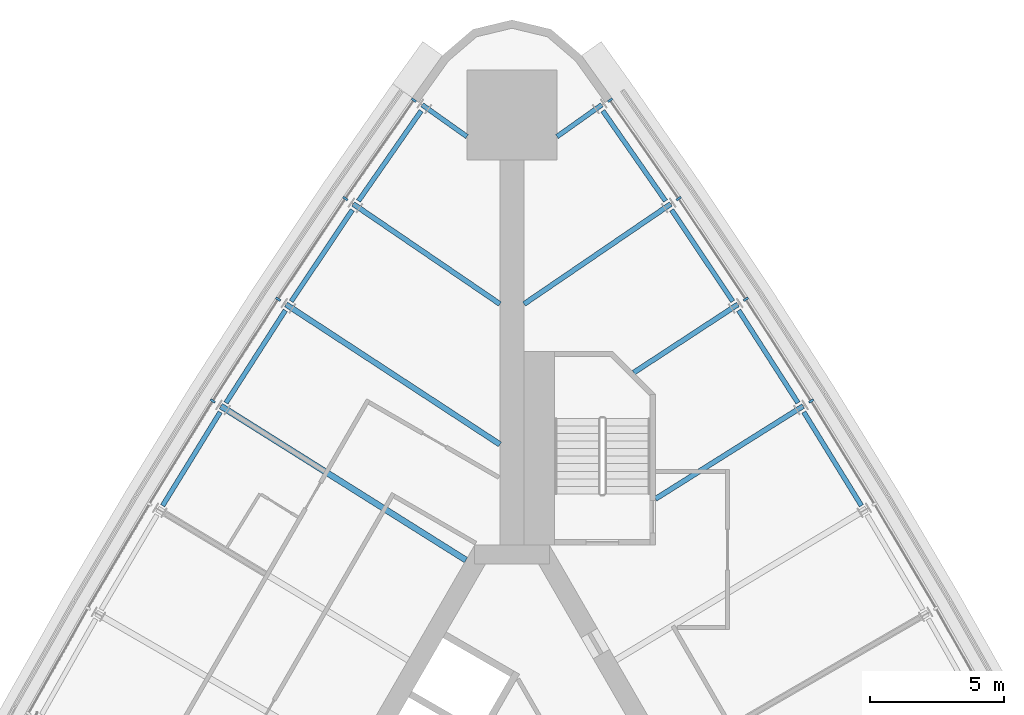
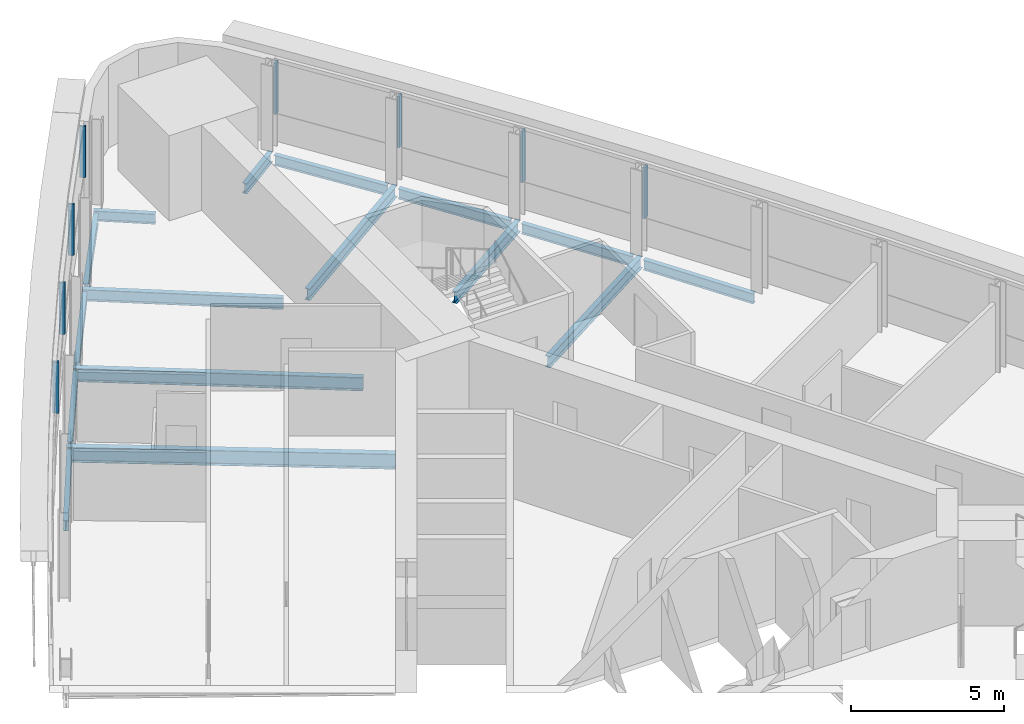
# One storey, part 8 of 14: 16 beams, 8 members, 2 elements without a shape of their own.
"""IFC4 building model written with IfcOpenShell, lengths in metres."""

from ifc_helpers import new_model, si_unit, direction, frame, origin, origin_2d, place, context, subcontext, project, spatial, rectangle, i_section, extrude, material, material_profile, profile_set, type_object, element, aggregate, save


model = new_model("IFC4")

# Units and contexts
model_context = context("Model", 3, precision=1e-05, world=origin(), true_north=direction((0.0, 1.0)))
body_context = subcontext(model_context, "Body", "Model", "MODEL_VIEW")
ifc_project = project(units=[si_unit("LENGTHUNIT", "METRE"), si_unit("AREAUNIT", "SQUARE_METRE"), si_unit("VOLUMEUNIT", "CUBIC_METRE"), si_unit("PLANEANGLEUNIT", "RADIAN"), si_unit("MASSUNIT", "GRAM", prefix="KILO")], contexts=[model_context])

# Site, building, storey
site_placement = place(None, origin())
site = spatial("IfcSite", under=ifc_project, at=site_placement, CompositionType="ELEMENT")
building_placement = place(site_placement, origin())
building = spatial("IfcBuilding", under=site, at=building_placement, Name="Noor Cloister Tower", CompositionType="ELEMENT")
storey_placement = place(building_placement, frame((0.0, 0.0, 38.39990234375)))
storey = spatial("IfcBuildingStorey", under=building, at=storey_placement, Name="L09", CompositionType="ELEMENT", Elevation=38.39990234375)

# Curtain wall, members
ifc_material_1 = material(Name="Aluminium 6063-T6 anodised", Category="aluminium")
curtain_wall_type = type_object("IfcCurtainWallType", Name="Ribbon curtain wall, lower tower CW1", PredefinedType="NOTDEFINED", material=ifc_material_1)
curtain_wall_1_placement = place(storey_placement, origin())
curtain_wall_1 = element("IfcCurtainWall", 1, at=curtain_wall_1_placement, inside=storey, type_object=curtain_wall_type, Name="CW1 L09 NW run 1", PredefinedType="NOTDEFINED")
ifc_material_2 = material(Name="Aluminium 6063-T6 anodised", Category="aluminium")
ifc_material_profile_1 = material_profile(ifc_material_2, rectangle(XDim=0.199951171875, YDim=0.080078125, at=origin_2d()), Name="200 x 80 mullion")
ifc_profile_set_1 = profile_set([ifc_material_profile_1], Name="Aluminium 6063-T6 anodised")
member_type = type_object("IfcMemberType", Name="Mullion CW1 80 x 200", PredefinedType="MULLION", material=ifc_profile_set_1)
member_1_placement = place(storey_placement, frame((-3.649658203125, 27.994140625, 1.10009765625), z_axis=(0.0, 0.0, 1.0), x_axis=(0.820865114232, -0.571122109742, 0.0)))
member_1 = element("IfcMember", 2, at=member_1_placement, type_object=member_type, Name="CW1 mullion 1", PredefinedType="MULLION", context=body_context, shape_type="SweptSolid", body=[
    extrude(rectangle(XDim=0.199951171875, YDim=0.080078125, at=origin_2d()), origin(), (0.0, 0.0, 1.0), 2.050048828125),
])
member_2_placement = place(storey_placement, frame((-6.1962890625, 24.333984375, 1.10009765625), z_axis=(0.0, 0.0, 1.0), x_axis=(0.826176871189, -0.563410842558, 0.0)))
member_2 = element("IfcMember", 3, at=member_2_placement, type_object=member_type, Name="CW1 mullion 2", PredefinedType="MULLION", context=body_context, shape_type="SweptSolid", body=[
    extrude(rectangle(XDim=0.199951171875, YDim=0.080078125, at=origin_2d()), origin(), (0.0, 0.0, 1.0), 2.050048828125),
])
member_3_placement = place(storey_placement, frame((-8.69580078125, 20.59423828125, 1.10009765625), z_axis=(0.0, 0.0, 1.0), x_axis=(0.836582621682, -0.547840777143, 0.0)))
member_3 = element("IfcMember", 4, at=member_3_placement, type_object=member_type, Name="CW1 mullion 3", PredefinedType="MULLION", context=body_context, shape_type="SweptSolid", body=[
    extrude(rectangle(XDim=0.199951171875, YDim=0.080078125, at=origin_2d()), origin(), (0.0, 0.0, 1.0), 2.050048828125),
])
member_4_placement = place(storey_placement, frame((-11.12451171875, 16.808349609375, 1.10009765625), z_axis=(0.0, 0.0, 1.0), x_axis=(0.846694967857, -0.532078595139, 0.0)))
member_4 = element("IfcMember", 5, at=member_4_placement, type_object=member_type, Name="CW1 mullion 4", PredefinedType="MULLION", context=body_context, shape_type="SweptSolid", body=[
    extrude(rectangle(XDim=0.199951171875, YDim=0.080078125, at=origin_2d()), origin(), (0.0, 0.0, 1.0), 2.050048828125),
])
aggregate(curtain_wall_1, [member_1, member_2, member_3, member_4])

curtain_wall_2_placement = place(storey_placement, origin())
curtain_wall_2 = element("IfcCurtainWall", 6, at=curtain_wall_2_placement, inside=storey, type_object=curtain_wall_type, Name="CW1 L09 NE run 3", PredefinedType="NOTDEFINED")
member_5_placement = place(storey_placement, frame((11.12451171875, 16.808349609375, 1.10009765625), z_axis=(0.0, 0.0, 1.0), x_axis=(-0.846694967857, -0.532078595139, 0.0)))
member_5 = element("IfcMember", 7, at=member_5_placement, type_object=member_type, Name="CW1 mullion 8", PredefinedType="MULLION", context=body_context, shape_type="SweptSolid", body=[
    extrude(rectangle(XDim=0.199951171875, YDim=0.080078125, at=origin_2d()), origin(), (0.0, 0.0, 1.0), 2.050048828125),
])
member_6_placement = place(storey_placement, frame((8.69580078125, 20.59423828125, 1.10009765625), z_axis=(0.0, 0.0, 1.0), x_axis=(-0.836582621682, -0.547840777143, 0.0)))
member_6 = element("IfcMember", 8, at=member_6_placement, type_object=member_type, Name="CW1 mullion 9", PredefinedType="MULLION", context=body_context, shape_type="SweptSolid", body=[
    extrude(rectangle(XDim=0.199951171875, YDim=0.080078125, at=origin_2d()), origin(), (0.0, 0.0, 1.0), 2.050048828125),
])
member_7_placement = place(storey_placement, frame((6.1962890625, 24.333984375, 1.10009765625), z_axis=(0.0, 0.0, 1.0), x_axis=(-0.826176871189, -0.563410842558, 0.0)))
member_7 = element("IfcMember", 9, at=member_7_placement, type_object=member_type, Name="CW1 mullion 10", PredefinedType="MULLION", context=body_context, shape_type="SweptSolid", body=[
    extrude(rectangle(XDim=0.199951171875, YDim=0.080078125, at=origin_2d()), origin(), (0.0, 0.0, 1.0), 2.050048828125),
])
member_8_placement = place(storey_placement, frame((3.649658203125, 27.994140625, 1.10009765625), z_axis=(0.0, 0.0, 1.0), x_axis=(-0.820865114232, -0.571122109742, 0.0)))
member_8 = element("IfcMember", 10, at=member_8_placement, type_object=member_type, Name="CW1 mullion 11", PredefinedType="MULLION", context=body_context, shape_type="SweptSolid", body=[
    extrude(rectangle(XDim=0.199951171875, YDim=0.080078125, at=origin_2d()), origin(), (0.0, 0.0, 1.0), 2.050048828125),
])
aggregate(curtain_wall_2, [member_5, member_6, member_7, member_8])

# Beams
ifc_material_3 = material(Name="Steel ASTM A992 Gr 50", Category="steel")
ifc_material_profile_2 = material_profile(ifc_material_3, i_section(OverallWidth=0.177978515625, OverallDepth=0.406005859375, WebThickness=0.0078125, FlangeThickness=0.0126953125, FilletRadius=0.01025390625, at=origin_2d()), Name="W410x60")
ifc_profile_set_2 = profile_set([ifc_material_profile_2], Name="Steel ASTM A992 Gr 50")
beam_type_1 = type_object("IfcBeamType", Name="Radial beam W410x60", PredefinedType="BEAM", material=ifc_profile_set_2)
for number, where, z_axis, x_axis, name in (
    (11, (-3.339599609375, 27.822021484375, -0.40283203125), (0.815483470887, -0.578780363101, 0.0), (0.578780363101, 0.815483470887, 0.0), "Radial beam NW 01 L09"),
    (12, (3.339599609375, 27.822021484375, -0.40283203125), (-0.815483470887, -0.578780363101, 0.0), (0.578780363101, -0.815483470887, 0.0), "Radial beam NE 11 L09"),
):
    element("IfcBeam", number, at=place(storey_placement, frame(where, z_axis=z_axis, x_axis=x_axis)), inside=storey, type_object=beam_type_1, Name=name, PredefinedType="BEAM", context=body_context, shape_type="SweptSolid", body=[
        extrude(i_section(OverallWidth=0.177978515625, OverallDepth=0.406005859375, WebThickness=0.0078125, FlangeThickness=0.0126953125, FilletRadius=0.01025390625, at=origin_2d()), origin(), (0.0, 0.0, 1.0), 2.041259765625),
    ])
ifc_material_4 = material(Name="Steel ASTM A992 Gr 50", Category="steel")
ifc_material_profile_3 = material_profile(ifc_material_4, i_section(OverallWidth=0.19091796875, OverallDepth=0.45703125, WebThickness=0.009033203125, FlangeThickness=0.014404296875, FilletRadius=0.01025390625, at=origin_2d()), Name="W460x74")
ifc_profile_set_3 = profile_set([ifc_material_profile_3], Name="Steel ASTM A992 Gr 50")
beam_type_2 = type_object("IfcBeamType", Name="Radial beam W460x74", PredefinedType="BEAM", material=ifc_profile_set_3)
beam_1_placement = place(storey_placement, frame((-5.90478515625, 24.135009765625, -0.428466796875), z_axis=(0.826190572063, -0.563390751285, 0.0), x_axis=(0.563390751285, 0.826190572063, 0.0)))
element("IfcBeam", 13, at=beam_1_placement, inside=storey, type_object=beam_type_2, Name="Radial beam NW 02 L09", PredefinedType="BEAM", context=body_context, shape_type="SweptSolid", body=[
    extrude(i_section(OverallWidth=0.19091796875, OverallDepth=0.45703125, WebThickness=0.009033203125, FlangeThickness=0.014404296875, FilletRadius=0.01025390625, at=origin_2d()), origin(), (0.0, 0.0, 1.0), 6.602294921875),
])
beam_2_placement = place(storey_placement, frame((10.82568359375, 16.62060546875, -0.428466796875), z_axis=(-0.846682107537, -0.532099059177, 0.0), x_axis=(0.532099059177, -0.846682107537, 0.0)))
element("IfcBeam", 14, at=beam_2_placement, inside=storey, type_object=beam_type_2, Name="Radial beam NE 08 L09", PredefinedType="BEAM", context=body_context, shape_type="SweptSolid", body=[
    extrude(i_section(OverallWidth=0.19091796875, OverallDepth=0.45703125, WebThickness=0.009033203125, FlangeThickness=0.014404296875, FilletRadius=0.01025390625, at=origin_2d()), origin(), (0.0, 0.0, 1.0), 6.484130859375),
])
beam_3_placement = place(storey_placement, frame((8.400390625, 20.40087890625, -0.428466796875), z_axis=(-0.836573643515, -0.547854487045, 0.0), x_axis=(0.547854487045, -0.836573643515, 0.0)))
element("IfcBeam", 15, at=beam_3_placement, inside=storey, type_object=beam_type_2, Name="Radial beam NE 09 L09", PredefinedType="BEAM", context=body_context, shape_type="SweptSolid", body=[
    extrude(i_section(OverallWidth=0.19091796875, OverallDepth=0.45703125, WebThickness=0.009033203125, FlangeThickness=0.014404296875, FilletRadius=0.01025390625, at=origin_2d()), origin(), (0.0, 0.0, 1.0), 4.629638671875),
])
beam_4_placement = place(storey_placement, frame((5.90478515625, 24.135009765625, -0.428466796875), z_axis=(-0.826190572063, -0.563390751285, 0.0), x_axis=(0.563390751285, -0.826190572063, 0.0)))
element("IfcBeam", 16, at=beam_4_placement, inside=storey, type_object=beam_type_2, Name="Radial beam NE 10 L09", PredefinedType="BEAM", context=body_context, shape_type="SweptSolid", body=[
    extrude(i_section(OverallWidth=0.19091796875, OverallDepth=0.45703125, WebThickness=0.009033203125, FlangeThickness=0.014404296875, FilletRadius=0.01025390625, at=origin_2d()), origin(), (0.0, 0.0, 1.0), 6.602294921875),
])
ifc_material_5 = material(Name="Steel ASTM A992 Gr 50", Category="steel")
ifc_material_profile_4 = material_profile(ifc_material_5, i_section(OverallWidth=0.208984375, OverallDepth=0.532958984375, WebThickness=0.01025390625, FlangeThickness=0.015625, FilletRadius=0.0126953125, at=origin_2d()), Name="W530x92")
ifc_profile_set_4 = profile_set([ifc_material_profile_4], Name="Steel ASTM A992 Gr 50")
beam_type_3 = type_object("IfcBeamType", Name="Radial beam W530x92", PredefinedType="BEAM", material=ifc_profile_set_4)
beam_5_placement = place(storey_placement, frame((-8.400390625, 20.40087890625, -0.46630859375), z_axis=(0.836586991604, -0.547834103975, 0.0), x_axis=(0.547834103975, 0.836586991604, 0.0)))
element("IfcBeam", 17, at=beam_5_placement, inside=storey, type_object=beam_type_3, Name="Radial beam NW 03 L09", PredefinedType="BEAM", context=body_context, shape_type="SweptSolid", body=[
    extrude(i_section(OverallWidth=0.208984375, OverallDepth=0.532958984375, WebThickness=0.01025390625, FlangeThickness=0.015625, FilletRadius=0.0126953125, at=origin_2d()), origin(), (0.0, 0.0, 1.0), 9.50341796875),
])
ifc_material_6 = material(Name="Steel ASTM A992 Gr 50", Category="steel")
ifc_material_profile_5 = material_profile(ifc_material_6, i_section(OverallWidth=0.22802734375, OverallDepth=0.60205078125, WebThickness=0.010498046875, FlangeThickness=0.014892578125, FilletRadius=0.0126953125, at=origin_2d()), Name="W610x101")
ifc_profile_set_5 = profile_set([ifc_material_profile_5], Name="Steel ASTM A992 Gr 50")
beam_type_4 = type_object("IfcBeamType", Name="Radial beam W610x101", PredefinedType="BEAM", material=ifc_profile_set_5)
beam_6_placement = place(storey_placement, frame((-10.82568359375, 16.62060546875, -0.5009765625), z_axis=(0.846692307637, -0.532082828315, 0.0), x_axis=(0.532082828315, 0.846692307637, 0.0)))
element("IfcBeam", 18, at=beam_6_placement, inside=storey, type_object=beam_type_4, Name="Radial beam NW 04 L09", PredefinedType="BEAM", context=body_context, shape_type="SweptSolid", body=[
    extrude(i_section(OverallWidth=0.22802734375, OverallDepth=0.60205078125, WebThickness=0.010498046875, FlangeThickness=0.014892578125, FilletRadius=0.0126953125, at=origin_2d()), origin(), (0.0, 0.0, 1.0), 10.764892578125),
])
ifc_material_7 = material(Name="Steel ASTM A992 Gr 50", Category="steel")
ifc_material_profile_6 = material_profile(ifc_material_7, i_section(OverallWidth=0.177978515625, OverallDepth=0.406005859375, WebThickness=0.0078125, FlangeThickness=0.0126953125, FilletRadius=0.01025390625, at=origin_2d()), Name="W410x60")
ifc_profile_set_6 = profile_set([ifc_material_profile_6], Name="Steel ASTM A992 Gr 50")
beam_type_5 = type_object("IfcBeamType", Name="Spandrel beam W410x60", PredefinedType="SPANDREL", material=ifc_profile_set_6)
for number, where, z_axis, x_axis, name in (
    (19, (-3.375732421875, 27.60009765625, -0.40283203125), (-0.571138018777, -0.820854045192, 0.0), (0.820854045192, -0.571138018777, 0.0), "Spandrel beam NW 01 L09"),
    (20, (-5.936767578125, 23.91259765625, -0.40283203125), (-0.555651299127, -0.831415439945, 0.0), (0.831415439945, -0.555651299127, 0.0), "Spandrel beam NW 02 L09"),
    (21, (-8.42822265625, 20.177734375, -0.40283203125), (-0.540011404368, -0.841657699515, 0.0), (0.841657699515, -0.540011404368, 0.0), "Spandrel beam NW 03 L09"),
    (22, (-10.849365234375, 16.39697265625, -0.40283203125), (-0.524164102598, -0.851617281147, 0.0), (0.851617281147, -0.524164102598, 0.0), "Spandrel beam NW 04 L09"),
    (23, (12.990966796875, 12.91748046875, -0.40283203125), (-0.524164102598, 0.851617281147, 0.0), (-0.851617281147, -0.524164102598, 0.0), "Spandrel beam NE 07 L09"),
    (24, (10.634521484375, 16.739013671875, -0.40283203125), (-0.540011404368, 0.841657699515, 0.0), (-0.841657699515, -0.540011404368, 0.0), "Spandrel beam NE 08 L09"),
    (25, (8.20703125, 20.515625, -0.40283203125), (-0.555651299127, 0.831415439945, 0.0), (-0.831415439945, -0.555651299127, 0.0), "Spandrel beam NE 09 L09"),
    (26, (5.709228515625, 24.246337890625, -0.40283203125), (-0.571138018777, 0.820854045192, 0.0), (-0.820854045192, -0.571138018777, 0.0), "Spandrel beam NE 10 L09"),
):
    element("IfcBeam", number, at=place(storey_placement, frame(where, z_axis=z_axis, x_axis=x_axis)), inside=storey, type_object=beam_type_5, Name=name, PredefinedType="SPANDREL", context=body_context, shape_type="SweptSolid", body=[
        extrude(i_section(OverallWidth=0.177978515625, OverallDepth=0.406005859375, WebThickness=0.0078125, FlangeThickness=0.0126953125, FilletRadius=0.01025390625, at=origin_2d()), origin(), (0.0, 0.0, 1.0), 4.085693359375),
    ])

save(model, "model.ifc")
